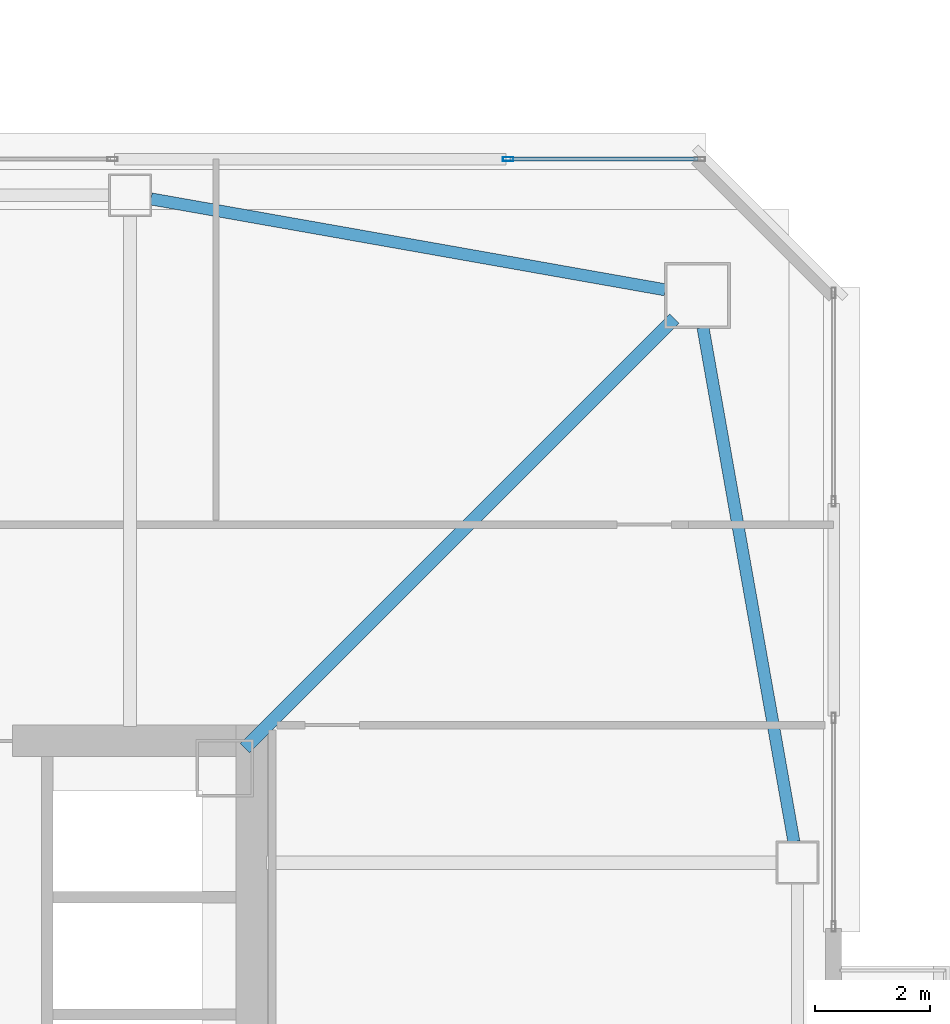
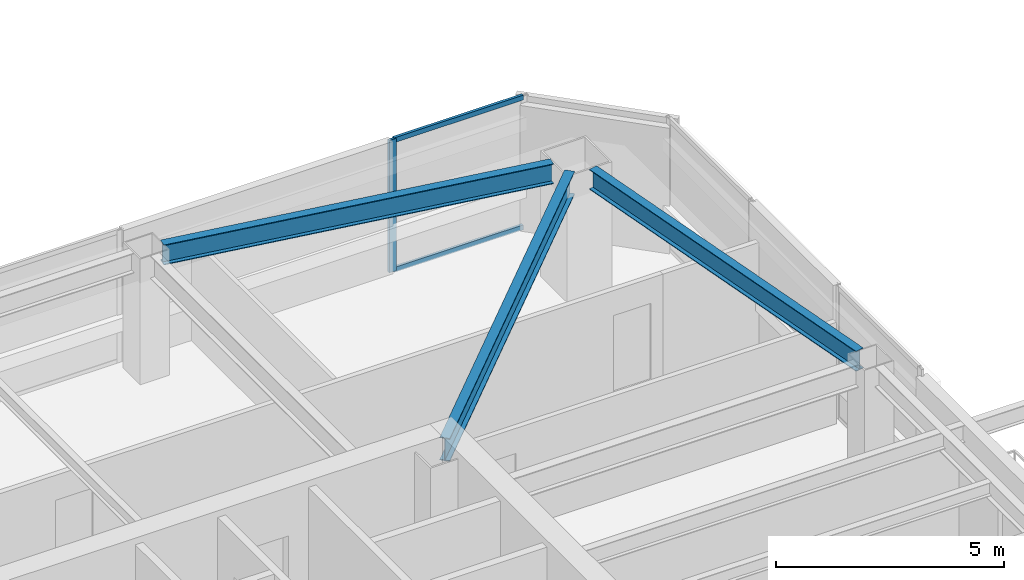
# One storey, part 14 of 41: 3 beams, 3 members, 1 element without a shape of its own.
"""IFC4 building model written with IfcOpenShell, lengths in metres."""

from ifc_helpers import new_model, si_unit, direction, frame, origin, origin_2d, place, context, subcontext, project, spatial, hollow_rectangle, i_section, extrude, material, material_profile, profile_set, type_object, element, aggregate, save


model = new_model("IFC4")

# Units and contexts
model_context = context("Model", 3, precision=1e-05, world=origin(), true_north=direction((0.0, 1.0)))
body_context = subcontext(model_context, "Body", "Model", "MODEL_VIEW")
ifc_project = project(units=[si_unit("LENGTHUNIT", "METRE"), si_unit("AREAUNIT", "SQUARE_METRE"), si_unit("VOLUMEUNIT", "CUBIC_METRE"), si_unit("PLANEANGLEUNIT", "RADIAN"), si_unit("MASSUNIT", "GRAM", prefix="KILO")], contexts=[model_context])

# Site, building, storey
site_placement = place(None, origin())
site = spatial("IfcSite", under=ifc_project, at=site_placement, CompositionType="ELEMENT")
building_placement = place(site_placement, origin())
building = spatial("IfcBuilding", under=site, at=building_placement, Name="Tashvorn Skyway Center", CompositionType="ELEMENT")
storey_placement = place(building_placement, frame((0.0, 0.0, 171.199951171875)))
storey = spatial("IfcBuildingStorey", under=building, at=storey_placement, Name="L46", CompositionType="ELEMENT", Elevation=171.199951171875)

# Beams
ifc_material_1 = material(Name="Steel ASTM A992 Grade 50", Category="steel")
ifc_material_profile_1 = material_profile(ifc_material_1, i_section(OverallWidth=0.22998046875, OverallDepth=0.616943359375, WebThickness=0.01318359375, FlangeThickness=0.022216796875, at=origin_2d()), Name="W24X94")
ifc_profile_set_1 = profile_set([ifc_material_profile_1], Name="Steel ASTM A992 Grade 50")
beam_type_1 = type_object("IfcBeamType", Name="BM-BEAM-W24X94", PredefinedType="BEAM", material=ifc_profile_set_1)
beam_placement = place(storey_placement, frame((56.89697265625, 46.89697265625, 3.0615234375), z_axis=(-0.707106781187, -0.707106781187, 0.0), x_axis=(0.707106781187, -0.707106781187, 0.0)))
element("IfcBeam", 1, at=beam_placement, inside=storey, type_object=beam_type_1, Name="Tower 1 L46 Primary Floor Girder MC-NE", PredefinedType="BEAM", context=body_context, shape_type="SweptSolid", body=[
    extrude(i_section(OverallWidth=0.22998046875, OverallDepth=0.616943359375, WebThickness=0.01318359375, FlangeThickness=0.022216796875, at=origin_2d()), origin(), (0.0, 0.0, 1.0), 10.6025390625),
])
ifc_material_profile_2 = material_profile(ifc_material_1, i_section(OverallWidth=0.2109375, OverallDepth=0.5390625, WebThickness=0.01171875, FlangeThickness=0.018798828125, at=origin_2d()), Name="W21X73")
ifc_profile_set_2 = profile_set([ifc_material_profile_2], Name="Steel ASTM A992 Grade 50")
beam_type_2 = type_object("IfcBeamType", Name="BM-SPANDREL-W21X73", PredefinedType="SPANDREL", material=ifc_profile_set_2)
for number, where, z_axis, x_axis, name in (
    (2, (58.985595703125, 37.764404296875, 3.1005859375), (-0.174074160933, 0.984732545667, 0.0), (-0.984732545667, -0.174074160933, 0.0), "Tower 1 L46 Spandrel Beam 06"),
    (3, (56.73876953125, 47.399169921875, 3.1005859375), (-0.984732545667, 0.174074160933, 0.0), (-0.174074160933, -0.984732545667, 0.0), "Tower 1 L46 Spandrel Beam 07"),
):
    element("IfcBeam", number, at=place(storey_placement, frame(where, z_axis=z_axis, x_axis=x_axis)), inside=storey, type_object=beam_type_2, Name=name, PredefinedType="SPANDREL", context=body_context, shape_type="SweptSolid", body=[
        extrude(i_section(OverallWidth=0.2109375, OverallDepth=0.5390625, WebThickness=0.01171875, FlangeThickness=0.018798828125, at=origin_2d()), origin(), (0.0, 0.0, 1.0), 9.113525390625),
    ])

# Curtain wall, members
ifc_material_2 = material(Name="Thermally broken bronze-anodized aluminium 6063-T6", Category="aluminium")
curtain_wall_type = type_object("IfcCurtainWallType", Name="CW-CW-Z4", PredefinedType="NOTDEFINED", material=ifc_material_2)
curtain_wall_placement = place(storey_placement, origin())
curtain_wall = element("IfcCurtainWall", 4, at=curtain_wall_placement, inside=storey, type_object=curtain_wall_type, Name="Tower 1 L46 North Unitised Curtain Wall Glazing Group 3", PredefinedType="NOTDEFINED")
ifc_material_profile_3 = material_profile(ifc_material_2, hollow_rectangle(XDim=0.070068359375, YDim=0.179931640625, WallThickness=0.00390625, at=origin_2d()), Name="ALU-MULL-70x180")
ifc_profile_set_3 = profile_set([ifc_material_profile_3], Name="Thermally broken bronze-anodized aluminium 6063-T6")
member_type_1 = type_object("IfcMemberType", Name="CWM-CW-Z4", PredefinedType="MULLION", material=ifc_profile_set_3)
member_1_placement = place(storey_placement, frame((53.997314453125, 49.679931640625, 0.0), z_axis=(0.0, 0.0, 1.0), x_axis=(0.0, 1.0, 0.0)))
member_1 = element("IfcMember", 5, at=member_1_placement, type_object=member_type_1, Name="CW-Z4 mullion 1", PredefinedType="MULLION", context=body_context, shape_type="SweptSolid", body=[
    extrude(hollow_rectangle(XDim=0.070068359375, YDim=0.179931640625, WallThickness=0.00390625, at=origin_2d()), origin(), (0.0, 0.0, 1.0), 3.550048828125),
])
ifc_material_profile_4 = material_profile(ifc_material_2, hollow_rectangle(XDim=0.070068359375, YDim=0.1298828125, WallThickness=0.00390625, at=origin_2d()), Name="ALU-TRAN-70x130")
ifc_profile_set_4 = profile_set([ifc_material_profile_4], Name="Thermally broken bronze-anodized aluminium 6063-T6")
member_type_2 = type_object("IfcMemberType", Name="CWT-CW-Z4", PredefinedType="USERDEFINED", material=ifc_profile_set_4)
member_2_placement = place(storey_placement, frame((54.0322265625, 49.679931640625, 0.03515625), z_axis=(1.0, 0.0, 0.0), x_axis=(0.0, 1.0, 0.0)))
member_2 = element("IfcMember", 6, at=member_2_placement, type_object=member_type_2, Name="CW-Z4 transom 1.1", ObjectType="TRANSOM", PredefinedType="USERDEFINED", context=body_context, shape_type="SweptSolid", body=[
    extrude(hollow_rectangle(XDim=0.070068359375, YDim=0.1298828125, WallThickness=0.00390625, at=origin_2d()), origin(), (0.0, 0.0, 1.0), 3.27783203125),
])
member_3_placement = place(storey_placement, frame((54.0322265625, 49.679931640625, 3.51513671875), z_axis=(1.0, 0.0, 0.0), x_axis=(0.0, 1.0, 0.0)))
member_3 = element("IfcMember", 7, at=member_3_placement, type_object=member_type_2, Name="CW-Z4 transom 1.2", ObjectType="TRANSOM", PredefinedType="USERDEFINED", context=body_context, shape_type="SweptSolid", body=[
    extrude(hollow_rectangle(XDim=0.070068359375, YDim=0.1298828125, WallThickness=0.00390625, at=origin_2d()), origin(), (0.0, 0.0, 1.0), 3.27783203125),
])
aggregate(curtain_wall, [member_1, member_2, member_3])

save(model, "model.ifc")
